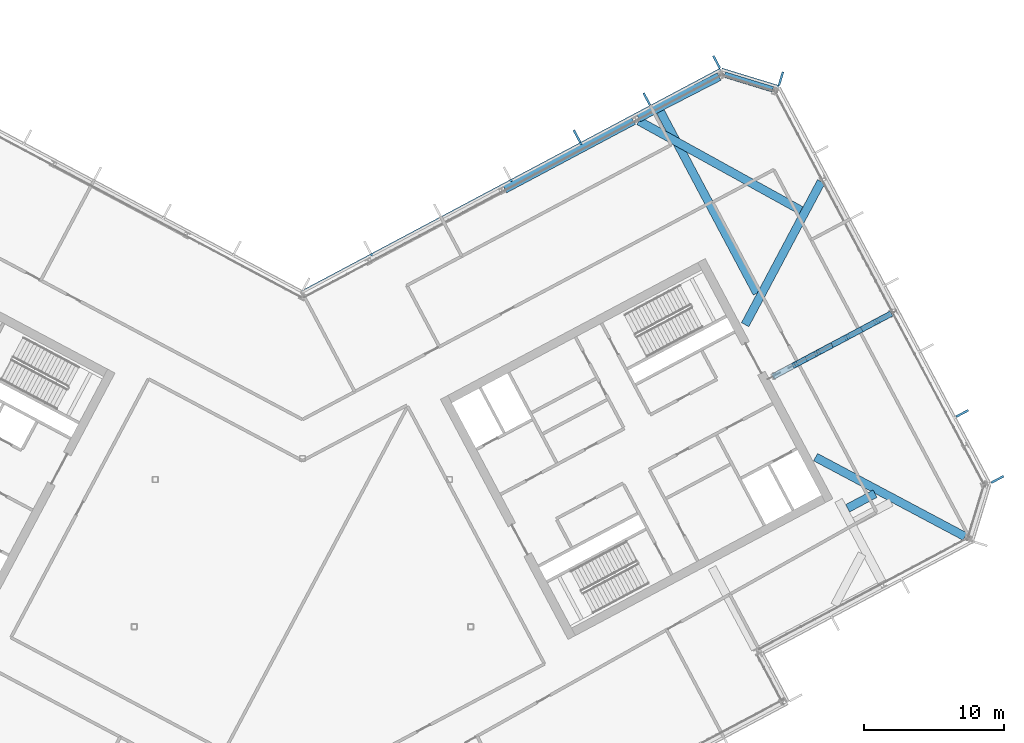
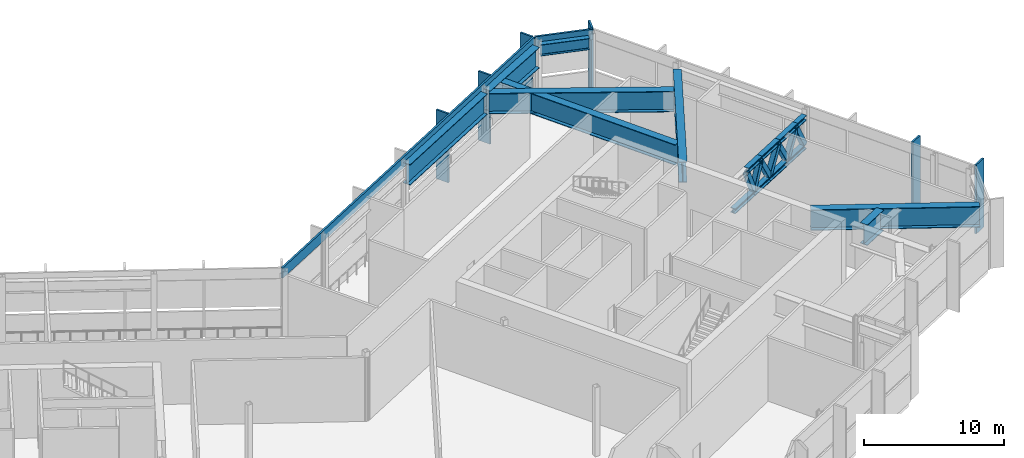
# One storey, part 11 of 33: 23 members, 8 beams, 3 elements without a shape of their own.
"""IFC4 building model written with IfcOpenShell, lengths in metres."""

from ifc_helpers import new_model, si_unit, direction, frame, origin, origin_2d, place, context, subcontext, project, spatial, rectangle, hollow_rectangle, i_section, extrude, material, layer, layer_set, material_profile, profile_set, type_object, element, aggregate, save


model = new_model("IFC4")

# Units and contexts
model_context = context("Model", 3, precision=1e-05, world=origin(), true_north=direction((0.0, 1.0)))
body_context = subcontext(model_context, "Body", "Model", "MODEL_VIEW")
ifc_project = project(units=[si_unit("LENGTHUNIT", "METRE"), si_unit("AREAUNIT", "SQUARE_METRE"), si_unit("VOLUMEUNIT", "CUBIC_METRE"), si_unit("PLANEANGLEUNIT", "RADIAN"), si_unit("MASSUNIT", "GRAM", prefix="KILO")], contexts=[model_context])

# Site, building, storey
site_placement = place(None, origin())
site = spatial("IfcSite", under=ifc_project, at=site_placement, CompositionType="ELEMENT")
building_placement = place(site_placement, origin())
building = spatial("IfcBuilding", under=site, at=building_placement, Name="Cormorant Relay Tower", CompositionType="ELEMENT")
storey_placement = place(building_placement, frame((0.0, 0.0, 252.0)))
storey = spatial("IfcBuildingStorey", under=building, at=storey_placement, Name="L56", CompositionType="ELEMENT", Elevation=252.0)

# Curtain wall, members
ifc_material_1 = material(Name="Aluminium 6063-T6 anodised bronze", Category="aluminium")
ifc_layer = layer(ifc_material_1, 0.199951171875)
ifc_layer_set = layer_set([ifc_layer], Name="CW4 band louvre wall")
curtain_wall_type = type_object("IfcCurtainWallType", Name="CW4 band louvre wall", PredefinedType="NOTDEFINED", material=ifc_layer_set)
curtain_wall_1_placement = place(storey_placement, origin())
curtain_wall_1 = element("IfcCurtainWall", 1, at=curtain_wall_1_placement, inside=storey, type_object=curtain_wall_type, Name="CW4 curtain wall 6", PredefinedType="NOTDEFINED")
ifc_material_2 = material(Name="Aluminium 6063-T6 anodised bronze", Category="aluminium")
ifc_material_profile_1 = material_profile(ifc_material_2, rectangle(XDim=0.14990234375, YDim=1.0, at=origin_2d()), Name="AL 150x1000")
ifc_profile_set_1 = profile_set([ifc_material_profile_1], Name="Aluminium 6063-T6 anodised bronze")
member_type_1 = type_object("IfcMemberType", Name="CW4 bronze fin mullion 150 x 1000", PredefinedType="MULLION", material=ifc_profile_set_1)
member_1_placement = place(storey_placement, frame((49.572021484375, 10.501953125, 0.0), z_axis=(0.0, 0.0, 1.0), x_axis=(-0.469471562786, 0.882947592859, 0.0)))
member_1 = element("IfcMember", 2, at=member_1_placement, type_object=member_type_1, Name="CW4 fin 6.1", PredefinedType="MULLION", context=body_context, shape_type="SweptSolid", body=[
    extrude(rectangle(XDim=0.14990234375, YDim=1.0, at=origin_2d()), origin(), (0.0, 0.0, 1.0), 6.0),
])
member_2_placement = place(storey_placement, frame((47.068359375, 15.211181640625, 0.0), z_axis=(0.0, 0.0, 1.0), x_axis=(-0.469471562786, 0.882947592859, 0.0)))
member_2 = element("IfcMember", 3, at=member_2_placement, type_object=member_type_1, Name="CW4 fin 6.2", PredefinedType="MULLION", context=body_context, shape_type="SweptSolid", body=[
    extrude(rectangle(XDim=0.14990234375, YDim=1.0, at=origin_2d()), origin(), (0.0, 0.0, 1.0), 6.0),
])
aggregate(curtain_wall_1, [member_1, member_2])

# Curtain wall, member
curtain_wall_2_placement = place(storey_placement, origin())
curtain_wall_2 = element("IfcCurtainWall", 4, at=curtain_wall_2_placement, inside=storey, type_object=curtain_wall_type, Name="CW4 curtain wall 7", PredefinedType="NOTDEFINED")
member_3_placement = place(storey_placement, frame((34.1357421875, 39.09716796875, 0.0), z_axis=(0.0, 0.0, 1.0), x_axis=(-0.956304755963, 0.292371704723, 0.0)))
member_3 = element("IfcMember", 5, at=member_3_placement, type_object=member_type_1, Name="CW4 fin 7.1", PredefinedType="MULLION", context=body_context, shape_type="SweptSolid", body=[
    extrude(rectangle(XDim=0.14990234375, YDim=1.0, at=origin_2d()), origin(), (0.0, 0.0, 1.0), 6.0),
])

# Curtain wall, members
curtain_wall_3_placement = place(storey_placement, origin())
curtain_wall_3 = element("IfcCurtainWall", 6, at=curtain_wall_3_placement, inside=storey, type_object=curtain_wall_type, Name="CW4 curtain wall 8", PredefinedType="NOTDEFINED")
member_4_placement = place(storey_placement, frame((29.545166015625, 40.2861328125, 0.0), z_axis=(0.0, 0.0, 1.0), x_axis=(-0.882947592859, -0.469471562786, 0.0)))
member_4 = element("IfcMember", 7, at=member_4_placement, type_object=member_type_1, Name="CW4 fin 8.1", PredefinedType="MULLION", context=body_context, shape_type="SweptSolid", body=[
    extrude(rectangle(XDim=0.14990234375, YDim=1.0, at=origin_2d()), origin(), (0.0, 0.0, 1.0), 6.0),
])
member_5_placement = place(storey_placement, frame((24.566162109375, 37.638916015625, 0.0), z_axis=(0.0, 0.0, 1.0), x_axis=(-0.882947592859, -0.469471562786, 0.0)))
member_5 = element("IfcMember", 8, at=member_5_placement, type_object=member_type_1, Name="CW4 fin 8.2", PredefinedType="MULLION", context=body_context, shape_type="SweptSolid", body=[
    extrude(rectangle(XDim=0.14990234375, YDim=1.0, at=origin_2d()), origin(), (0.0, 0.0, 1.0), 6.0),
])
member_6_placement = place(storey_placement, frame((19.587158203125, 34.991455078125, 0.0), z_axis=(0.0, 0.0, 1.0), x_axis=(-0.882947592859, -0.469471562786, 0.0)))
member_6 = element("IfcMember", 9, at=member_6_placement, type_object=member_type_1, Name="CW4 fin 8.3", PredefinedType="MULLION", context=body_context, shape_type="SweptSolid", body=[
    extrude(rectangle(XDim=0.14990234375, YDim=1.0, at=origin_2d()), origin(), (0.0, 0.0, 1.0), 6.0),
])

# Member
ifc_material_3 = material(Name="Aluminium 6063-T6 anodised bronze", Category="aluminium")
ifc_material_profile_2 = material_profile(ifc_material_3, rectangle(XDim=0.159912109375, YDim=0.89990234375, at=origin_2d()), Name="AL 160x900")
ifc_profile_set_2 = profile_set([ifc_material_profile_2], Name="Aluminium 6063-T6 anodised bronze")
member_type_2 = type_object("IfcMemberType", Name="CW4 bronze transom 160 x 900", PredefinedType="USERDEFINED", material=ifc_profile_set_2)
member_7_placement = place(storey_placement, frame((33.966064453125, 38.54248046875, 5.550048828125), z_axis=(-0.956303761594, 0.292374957137, 0.0), x_axis=(-0.292374957137, -0.956303761594, 0.0)))
member_7 = element("IfcMember", 10, at=member_7_placement, type_object=member_type_2, Name="CW4 transom 7", ObjectType="TRANSOM", PredefinedType="USERDEFINED", context=body_context, shape_type="SweptSolid", body=[
    extrude(rectangle(XDim=0.159912109375, YDim=0.89990234375, at=origin_2d()), origin(), (0.0, 0.0, 1.0), 4.24267578125),
])

aggregate(curtain_wall_2, [member_3, member_7])

member_8_placement = place(storey_placement, frame((29.8173828125, 39.774169921875, 5.550048828125), z_axis=(-0.882946280328, -0.46947403129, 0.0), x_axis=(0.46947403129, -0.882946280328, 0.0)))
member_8 = element("IfcMember", 11, at=member_8_placement, type_object=member_type_2, Name="CW4 transom 8", ObjectType="TRANSOM", PredefinedType="USERDEFINED", context=body_context, shape_type="SweptSolid", body=[
    extrude(rectangle(XDim=0.159912109375, YDim=0.89990234375, at=origin_2d()), origin(), (0.0, 0.0, 1.0), 33.834228515625),
])

aggregate(curtain_wall_3, [member_4, member_5, member_6, member_8])

# Beams
ifc_material_4 = material(Name="Steel ASTM A992 (Fy 345 MPa)", Category="steel")
ifc_material_profile_3 = material_profile(ifc_material_4, i_section(OverallWidth=0.4013671875, OverallDepth=0.990478515625, WebThickness=0.0166015625, FlangeThickness=0.031005859375, FilletRadius=0.030029296875, at=origin_2d()), Name="W1000x320")
ifc_profile_set_3 = profile_set([ifc_material_profile_3], Name="Steel ASTM A992 (Fy 345 MPa)")
beam_type_1 = type_object("IfcBeamType", Name="Spandrel W1000x320", PredefinedType="SPANDREL", material=ifc_profile_set_3)
beam_1_placement = place(storey_placement, frame((33.5546875, 38.3330078125, 5.0546875), z_axis=(-0.956311524923, 0.292349563537, 0.0), x_axis=(-0.292349563537, -0.956311524923, 0.0)))
element("IfcBeam", 12, at=beam_1_placement, inside=storey, type_object=beam_type_1, Name="Spandrel beam L56-006", PredefinedType="SPANDREL", context=body_context, shape_type="SweptSolid", body=[
    extrude(i_section(OverallWidth=0.4013671875, OverallDepth=0.990478515625, WebThickness=0.0166015625, FlangeThickness=0.031005859375, FilletRadius=0.030029296875, at=origin_2d()), origin(), (0.0, 0.0, 1.0), 3.59765625),
])
ifc_material_5 = material(Name="Steel ASTM A572 Grade 50 (Fy 345 MPa)", Category="steel")
ifc_material_profile_4 = material_profile(ifc_material_5, i_section(OverallWidth=0.60009765625, OverallDepth=1.800048828125, WebThickness=0.02490234375, FlangeThickness=0.050048828125, at=origin_2d()), Name="PG1800x600")
ifc_profile_set_4 = profile_set([ifc_material_profile_4], Name="Steel ASTM A572 Grade 50 (Fy 345 MPa)")
beam_type_2 = type_object("IfcBeamType", Name="Transfer girder PG1800x600", PredefinedType="BEAM", material=ifc_profile_set_4)
beam_2_placement = place(storey_placement, frame((14.434326171875, 31.220703125, 4.64990234375), z_axis=(0.882954824598, 0.469457961609, 0.0), x_axis=(-0.469457961609, 0.882954824598, 0.0)))
element("IfcBeam", 13, at=beam_2_placement, inside=storey, type_object=beam_type_2, Name="Transfer girder L56-01", PredefinedType="BEAM", context=body_context, shape_type="SweptSolid", body=[
    extrude(i_section(OverallWidth=0.60009765625, OverallDepth=1.800048828125, WebThickness=0.02490234375, FlangeThickness=0.050048828125, at=origin_2d()), origin(), (0.0, 0.0, 1.0), 10.396240234375),
])
beam_3_placement = place(storey_placement, frame((23.9716796875, 36.288330078125, 4.64990234375), z_axis=(0.889272007066, 0.457378724307, 0.0), x_axis=(-0.457378724307, 0.889272007066, 0.0)))
element("IfcBeam", 14, at=beam_3_placement, inside=storey, type_object=beam_type_2, Name="Transfer girder L56-02", PredefinedType="BEAM", context=body_context, shape_type="SweptSolid", body=[
    extrude(i_section(OverallWidth=0.60009765625, OverallDepth=1.800048828125, WebThickness=0.02490234375, FlangeThickness=0.050048828125, at=origin_2d()), origin(), (0.0, 0.0, 1.0), 6.46630859375),
])
beam_4_placement = place(storey_placement, frame((37.010986328125, 31.755615234375, 4.64990234375), z_axis=(-0.469485522184, -0.882940170374, 0.0), x_axis=(0.882940170374, -0.469485522184, 0.0)))
element("IfcBeam", 15, at=beam_4_placement, inside=storey, type_object=beam_type_2, Name="Transfer girder L56-04", PredefinedType="BEAM", context=body_context, shape_type="SweptSolid", body=[
    extrude(i_section(OverallWidth=0.60009765625, OverallDepth=1.800048828125, WebThickness=0.02490234375, FlangeThickness=0.050048828125, at=origin_2d()), origin(), (0.0, 0.0, 1.0), 11.564208984375),
])
beam_5_placement = place(storey_placement, frame((47.263671875, 6.429931640625, 4.64990234375), z_axis=(-0.882954092336, 0.469459338843, 0.0), x_axis=(-0.469459338843, -0.882954092336, 0.0)))
element("IfcBeam", 16, at=beam_5_placement, inside=storey, type_object=beam_type_2, Name="Transfer girder L56-07", PredefinedType="BEAM", context=body_context, shape_type="SweptSolid", body=[
    extrude(i_section(OverallWidth=0.60009765625, OverallDepth=1.800048828125, WebThickness=0.02490234375, FlangeThickness=0.050048828125, at=origin_2d()), origin(), (0.0, 0.0, 1.0), 12.07080078125),
])
beam_6_placement = place(storey_placement, frame((38.895751953125, 8.44921875, 4.64990234375), z_axis=(0.882965758529, 0.469437396535, 0.0), x_axis=(-0.469437396535, 0.882965758529, 0.0)))
element("IfcBeam", 17, at=beam_6_placement, inside=storey, type_object=beam_type_2, Name="Transfer girder L56-11", PredefinedType="BEAM", context=body_context, shape_type="SweptSolid", body=[
    extrude(i_section(OverallWidth=0.60009765625, OverallDepth=1.800048828125, WebThickness=0.02490234375, FlangeThickness=0.050048828125, at=origin_2d()), origin(), (0.0, 0.0, 1.0), 2.2138671875),
])
beam_7_placement = place(storey_placement, frame((32.42578125, 23.79248046875, 4.64990234375), z_axis=(-0.469479663544, 0.882943285562, 0.0), x_axis=(-0.882943285562, -0.469479663544, 0.0)))
element("IfcBeam", 18, at=beam_7_placement, inside=storey, type_object=beam_type_2, Name="Transfer girder L56-12", PredefinedType="BEAM", context=body_context, shape_type="SweptSolid", body=[
    extrude(i_section(OverallWidth=0.60009765625, OverallDepth=1.800048828125, WebThickness=0.02490234375, FlangeThickness=0.050048828125, at=origin_2d()), origin(), (0.0, 0.0, 1.0), 14.67041015625),
])
beam_8_placement = place(storey_placement, frame((35.5654296875, 29.697509765625, 4.64990234375), z_axis=(-0.875486525541, 0.483242530823, 0.0), x_axis=(-0.483242530823, -0.875486525541, 0.0)))
element("IfcBeam", 19, at=beam_8_placement, inside=storey, type_object=beam_type_2, Name="Transfer girder L56-13", PredefinedType="BEAM", context=body_context, shape_type="SweptSolid", body=[
    extrude(i_section(OverallWidth=0.60009765625, OverallDepth=1.800048828125, WebThickness=0.02490234375, FlangeThickness=0.050048828125, at=origin_2d()), origin(), (0.0, 0.0, 1.0), 13.205322265625),
])

# Members
ifc_material_6 = material(Name="Steel ASTM A992 (Fy 345 MPa)", Category="steel")
ifc_material_profile_5 = material_profile(ifc_material_6, i_section(OverallWidth=0.41162109375, OverallDepth=0.434326171875, WebThickness=0.035888671875, FlangeThickness=0.057373046875, FilletRadius=0.01513671875, at=origin_2d()), Name="W360x463")
ifc_profile_set_5 = profile_set([ifc_material_profile_5], Name="Steel ASTM A992 (Fy 345 MPa)")
member_type_3 = type_object("IfcMemberType", Name="Truss bottom chord W360x463", PredefinedType="CHORD", material=ifc_profile_set_5)
for number, where, z_axis, x_axis, name in (
    (20, (42.0166015625, 22.340576171875, 2.8671875), (-0.882941569715, -0.469482890496, 0.0), (0.469482890496, -0.882941569715, 0.0), "Truss bottom chord L56-06-06"),
    (21, (39.900390625, 21.21533203125, 2.8671875), (-0.882983792691, -0.469403474471, 0.0), (0.469403474471, -0.882983792691, 0.0), "Truss bottom chord L56-06-07"),
):
    element("IfcMember", number, at=place(storey_placement, frame(where, z_axis=z_axis, x_axis=x_axis)), inside=storey, type_object=member_type_3, Name=name, PredefinedType="CHORD", context=body_context, shape_type="SweptSolid", body=[
        extrude(i_section(OverallWidth=0.41162109375, OverallDepth=0.434326171875, WebThickness=0.035888671875, FlangeThickness=0.057373046875, FilletRadius=0.01513671875, at=origin_2d()), origin(), (0.0, 0.0, 1.0), 2.396728515625),
    ])
member_9_placement = place(storey_placement, frame((37.7841796875, 20.09033203125, 2.8671875), z_axis=(-0.882916568686, -0.469529906118, 0.0), x_axis=(0.469529906118, -0.882916568686, 0.0)))
element("IfcMember", 22, at=member_9_placement, inside=storey, type_object=member_type_3, Name="Truss bottom chord L56-06-08", PredefinedType="CHORD", context=body_context, shape_type="SweptSolid", body=[
    extrude(i_section(OverallWidth=0.41162109375, OverallDepth=0.434326171875, WebThickness=0.035888671875, FlangeThickness=0.057373046875, FilletRadius=0.01513671875, at=origin_2d()), origin(), (0.0, 0.0, 1.0), 2.095947265625),
])
member_10_placement = place(storey_placement, frame((35.93359375, 19.106201171875, 2.8671875), z_axis=(-0.882941045967, -0.469483875492, 0.0), x_axis=(0.469483875492, -0.882941045967, 0.0)))
element("IfcMember", 23, at=member_10_placement, inside=storey, type_object=member_type_3, Name="Truss bottom chord L56-06-09", PredefinedType="CHORD", context=body_context, shape_type="SweptSolid", body=[
    extrude(i_section(OverallWidth=0.41162109375, OverallDepth=0.434326171875, WebThickness=0.035888671875, FlangeThickness=0.057373046875, FilletRadius=0.01513671875, at=origin_2d()), origin(), (0.0, 0.0, 1.0), 2.697265625),
])
ifc_material_7 = material(Name="Steel ASTM A500 Grade C (Fy 345 MPa)", Category="steel")
ifc_material_profile_6 = material_profile(ifc_material_7, hollow_rectangle(XDim=0.406494140625, YDim=0.406494140625, WallThickness=0.0146484375, InnerFilletRadius=0.00732421875, OuterFilletRadius=0.022216796875, at=origin_2d()), Name="HSS406x406x15")
ifc_profile_set_6 = profile_set([ifc_material_profile_6], Name="Steel ASTM A500 Grade C (Fy 345 MPa)")
member_type_4 = type_object("IfcMemberType", Name="Truss diagonal HSS406x406x15", PredefinedType="BRACE", material=ifc_profile_set_6)
member_11_placement = place(storey_placement, frame((41.9326171875, 22.2958984375, 3.084228515625), z_axis=(-0.421384833351, -0.22399930615, 0.878782756469), x_axis=(0.469381737574, -0.882995347911, 0.0)))
element("IfcMember", 24, at=member_11_placement, inside=storey, type_object=member_type_4, Name="Truss diagonal L56-06-12", PredefinedType="BRACE", context=body_context, shape_type="SweptSolid", body=[
    extrude(hollow_rectangle(XDim=0.406494140625, YDim=0.406494140625, WallThickness=0.0146484375, InnerFilletRadius=0.00732421875, OuterFilletRadius=0.022216796875, at=origin_2d()), origin(), (0.0, 0.0, 1.0), 2.311767578125),
])
for number, where, z_axis, x_axis, name in (
    (25, (40.95849609375, 21.778076171875, 5.11572265625), (-0.448606119931, -0.238587241911, -0.861294767869), (0.469562295128, -0.882899343637, 0.0), "Truss diagonal L56-06-13"),
    (26, (39.900390625, 21.21533203125, 3.084228515625), (-0.448617196635, -0.238489621838, 0.861316034426), (0.469403474471, -0.882983792691, 0.0), "Truss diagonal L56-06-14"),
    (27, (38.84228515625, 20.65283203125, 5.11572265625), (-0.448617196635, -0.238489621838, -0.861316034426), (0.469403474471, -0.882983792691, 0.0), "Truss diagonal L56-06-15"),
    (28, (37.7841796875, 20.09033203125, 3.084228515625), (-0.448523436442, -0.238598320101, 0.861334759897), (0.46964676343, -0.882854414725, 0.0), "Truss diagonal L56-06-16"),
):
    element("IfcMember", number, at=place(storey_placement, frame(where, z_axis=z_axis, x_axis=x_axis)), inside=storey, type_object=member_type_4, Name=name, PredefinedType="BRACE", context=body_context, shape_type="SweptSolid", body=[
        extrude(hollow_rectangle(XDim=0.406494140625, YDim=0.406494140625, WallThickness=0.0146484375, InnerFilletRadius=0.00732421875, OuterFilletRadius=0.022216796875, at=origin_2d()), origin(), (0.0, 0.0, 1.0), 2.358642578125),
    ])
for number, where, z_axis, x_axis, name in (
    (29, (36.726318359375, 19.527587890625, 5.11572265625), (-0.35691852802, -0.189726325643, -0.914665559488), (0.469373925965, -0.882999500353, 0.0), "Truss diagonal L56-06-17"),
    (30, (35.93359375, 19.106201171875, 3.084228515625), (-0.356822602949, -0.189733768543, 0.914701441509), (0.469486657948, -0.882939566453, 0.0), "Truss diagonal L56-06-18"),
):
    element("IfcMember", number, at=place(storey_placement, frame(where, z_axis=z_axis, x_axis=x_axis)), inside=storey, type_object=member_type_4, Name=name, PredefinedType="BRACE", context=body_context, shape_type="SweptSolid", body=[
        extrude(hollow_rectangle(XDim=0.406494140625, YDim=0.406494140625, WallThickness=0.0146484375, InnerFilletRadius=0.00732421875, OuterFilletRadius=0.022216796875, at=origin_2d()), origin(), (0.0, 0.0, 1.0), 2.220947265625),
    ])
ifc_material_8 = material(Name="Steel ASTM A992 (Fy 345 MPa)", Category="steel")
ifc_material_profile_7 = material_profile(ifc_material_8, i_section(OverallWidth=0.41162109375, OverallDepth=0.434326171875, WebThickness=0.035888671875, FlangeThickness=0.057373046875, FilletRadius=0.01513671875, at=origin_2d()), Name="W360x463")
ifc_profile_set_7 = profile_set([ifc_material_profile_7], Name="Steel ASTM A992 (Fy 345 MPa)")
member_type_5 = type_object("IfcMemberType", Name="Truss top chord W360x463", PredefinedType="CHORD", material=ifc_profile_set_7)
member_12_placement = place(storey_placement, frame((42.0166015625, 22.340576171875, 5.3330078125), z_axis=(-0.882983792691, -0.469403474471, 0.0), x_axis=(0.469403474471, -0.882983792691, 0.0)))
element("IfcMember", 31, at=member_12_placement, inside=storey, type_object=member_type_5, Name="Truss top chord L56-06-01", PredefinedType="CHORD", context=body_context, shape_type="SweptSolid", body=[
    extrude(i_section(OverallWidth=0.41162109375, OverallDepth=0.434326171875, WebThickness=0.035888671875, FlangeThickness=0.057373046875, FilletRadius=0.01513671875, at=origin_2d()), origin(), (0.0, 0.0, 1.0), 1.1982421875),
])
member_13_placement = place(storey_placement, frame((40.95849609375, 21.778076171875, 5.3330078125), z_axis=(-0.882941569715, -0.469482890496, 0.0), x_axis=(0.469482890496, -0.882941569715, 0.0)))
element("IfcMember", 32, at=member_13_placement, inside=storey, type_object=member_type_5, Name="Truss top chord L56-06-02", PredefinedType="CHORD", context=body_context, shape_type="SweptSolid", body=[
    extrude(i_section(OverallWidth=0.41162109375, OverallDepth=0.434326171875, WebThickness=0.035888671875, FlangeThickness=0.057373046875, FilletRadius=0.01513671875, at=origin_2d()), origin(), (0.0, 0.0, 1.0), 2.396728515625),
])
member_14_placement = place(storey_placement, frame((38.84228515625, 20.65283203125, 5.3330078125), z_axis=(-0.882919114812, -0.469525118284, 0.0), x_axis=(0.469525118284, -0.882919114812, 0.0)))
element("IfcMember", 33, at=member_14_placement, inside=storey, type_object=member_type_5, Name="Truss top chord L56-06-03", PredefinedType="CHORD", context=body_context, shape_type="SweptSolid", body=[
    extrude(i_section(OverallWidth=0.41162109375, OverallDepth=0.434326171875, WebThickness=0.035888671875, FlangeThickness=0.057373046875, FilletRadius=0.01513671875, at=origin_2d()), origin(), (0.0, 0.0, 1.0), 2.396484375),
])
member_15_placement = place(storey_placement, frame((36.726318359375, 19.527587890625, 5.3330078125), z_axis=(-0.882969538801, -0.469430286145, 0.0), x_axis=(0.469430286145, -0.882969538801, 0.0)))
element("IfcMember", 34, at=member_15_placement, inside=storey, type_object=member_type_5, Name="Truss top chord L56-06-04", PredefinedType="CHORD", context=body_context, shape_type="SweptSolid", body=[
    extrude(i_section(OverallWidth=0.41162109375, OverallDepth=0.434326171875, WebThickness=0.035888671875, FlangeThickness=0.057373046875, FilletRadius=0.01513671875, at=origin_2d()), origin(), (0.0, 0.0, 1.0), 1.79541015625),
])

save(model, "model.ifc")
